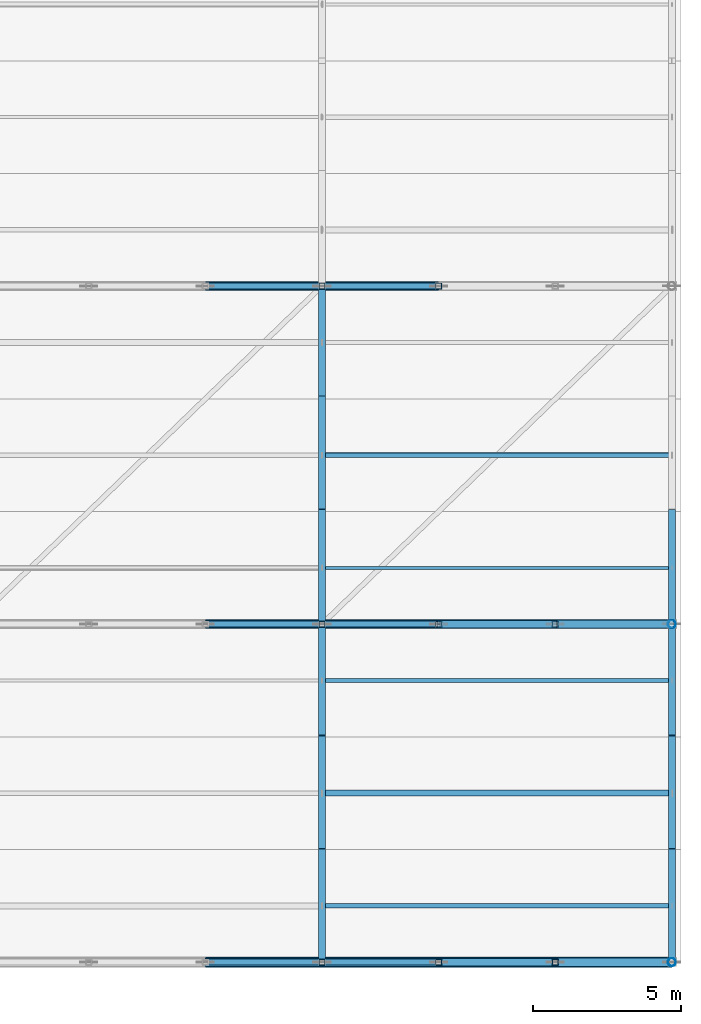
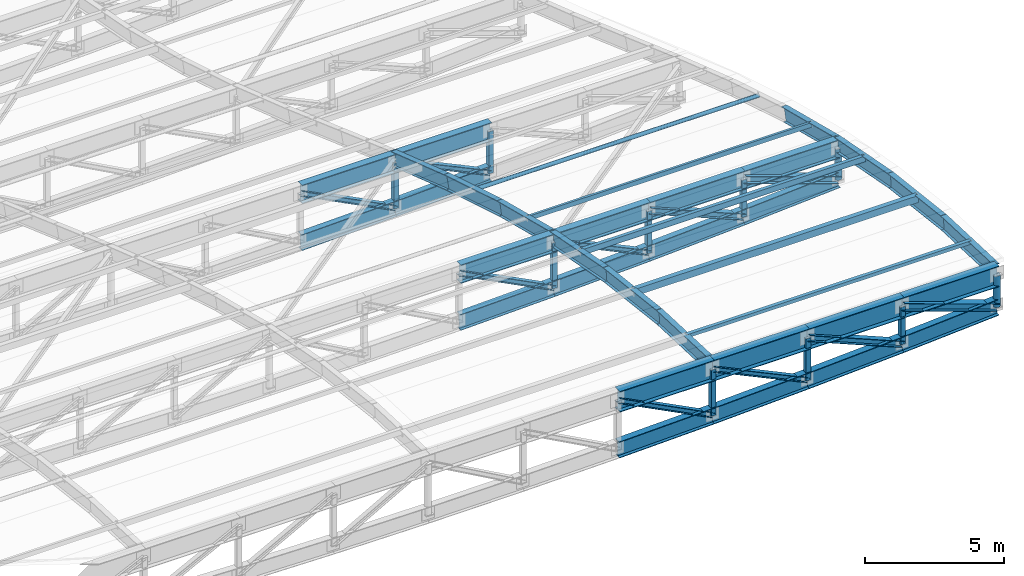
# One storey, part 11 of 65: 35 members, 20 beams.
"""IFC4 building model written with IfcOpenShell, lengths in metres."""

from ifc_helpers import new_model, si_unit, direction, frame, origin, origin_2d, place, context, subcontext, project, spatial, hollow_rectangle, hollow_circle, i_section, extrude, material, material_profile, profile_set, type_object, element, save


model = new_model("IFC4")

# Units and contexts
model_context = context("Model", 3, precision=1e-05, world=origin(), true_north=direction((0.0, 1.0)))
body_context = subcontext(model_context, "Body", "Model", "MODEL_VIEW")
ifc_project = project(units=[si_unit("LENGTHUNIT", "METRE"), si_unit("AREAUNIT", "SQUARE_METRE"), si_unit("VOLUMEUNIT", "CUBIC_METRE"), si_unit("PLANEANGLEUNIT", "RADIAN"), si_unit("MASSUNIT", "GRAM", prefix="KILO"), si_unit("POWERUNIT", "WATT"), si_unit("THERMODYNAMICTEMPERATUREUNIT", "KELVIN")], contexts=[model_context])

# Site, building, storey
site_placement = place(None, origin())
site = spatial("IfcSite", under=ifc_project, at=site_placement, CompositionType="ELEMENT")
building_placement = place(site_placement, origin())
building = spatial("IfcBuilding", under=site, at=building_placement, Name="Kelmbourne Parkland Aquatics Centre", CompositionType="ELEMENT")
storey_placement = place(building_placement, frame((0.0, 0.0, 27.0)))
storey = spatial("IfcBuildingStorey", under=building, at=storey_placement, Name="RF", CompositionType="ELEMENT", Elevation=27.0)

# Members
ifc_material_1 = material(Name="Structural steel AS/NZS 3679.1 Grade 300", Category="steel")
ifc_material_profile_1 = material_profile(ifc_material_1, i_section(OverallWidth=0.306884765625, OverallDepth=0.31494140625, WebThickness=0.011962890625, FlangeThickness=0.018798828125, at=origin_2d()), Name="310UC118")
ifc_profile_set_1 = profile_set([ifc_material_profile_1], Name="Structural steel AS/NZS 3679.1 Grade 300")
member_type_1 = type_object("IfcMemberType", Name="MB-DIAG1", PredefinedType="STRUT", material=ifc_profile_set_1)
for number, where, z_axis, x_axis, name in (
    (1, (171.2666015625, 0.800048828125, -0.820068359375), (0.943617957768, 0.0, -0.331036478015), (0.0, 1.0, 0.0), "Roof truss R00 web diagonal 12"),
    (2, (171.2666015625, 12.199951171875, -2.15087890625), (0.943617957768, 0.0, -0.331036478015), (0.0, 1.0, 0.0), "Roof truss R01 web diagonal 12"),
):
    element("IfcMember", number, at=place(storey_placement, frame(where, z_axis=z_axis, x_axis=x_axis)), inside=storey, type_object=member_type_1, Name=name, PredefinedType="STRUT", context=body_context, shape_type="SweptSolid", body=[
        extrude(i_section(OverallWidth=0.306884765625, OverallDepth=0.31494140625, WebThickness=0.011962890625, FlangeThickness=0.018798828125, at=origin_2d()), origin(), (0.0, 0.0, 1.0), 4.16845703125),
    ])
ifc_material_profile_2 = material_profile(ifc_material_1, i_section(OverallWidth=0.256103515625, OverallDepth=0.260009765625, WebThickness=0.010498046875, FlangeThickness=0.017333984375, at=origin_2d()), Name="250UC89.5")
ifc_profile_set_2 = profile_set([ifc_material_profile_2], Name="Structural steel AS/NZS 3679.1 Grade 300")
member_type_2 = type_object("IfcMemberType", Name="MB-DIAG2", PredefinedType="STRUT", material=ifc_profile_set_2)
for number, where, z_axis, x_axis, name in (
    (3, (167.333251953125, 0.800048828125, -0.820068359375), (0.923014195881, 0.0, -0.384765895322), (0.0, 1.0, 0.0), "Roof truss R00 web diagonal 11"),
    (4, (167.333251953125, 12.199951171875, -2.15087890625), (0.923014195881, 0.0, -0.384765895322), (0.0, 1.0, 0.0), "Roof truss R01 web diagonal 11"),
):
    element("IfcMember", number, at=place(storey_placement, frame(where, z_axis=z_axis, x_axis=x_axis)), inside=storey, type_object=member_type_2, Name=name, PredefinedType="STRUT", context=body_context, shape_type="SweptSolid", body=[
        extrude(i_section(OverallWidth=0.256103515625, OverallDepth=0.260009765625, WebThickness=0.010498046875, FlangeThickness=0.017333984375, at=origin_2d()), origin(), (0.0, 0.0, 1.0), 4.261474609375),
    ])
ifc_material_profile_3 = material_profile(ifc_material_1, i_section(OverallWidth=0.205078125, OverallDepth=0.2099609375, WebThickness=0.00927734375, FlangeThickness=0.01416015625, at=origin_2d()), Name="200UC59.5")
ifc_profile_set_3 = profile_set([ifc_material_profile_3], Name="Structural steel AS/NZS 3679.1 Grade 300")
member_type_3 = type_object("IfcMemberType", Name="MB-DIAG3", PredefinedType="STRUT", material=ifc_profile_set_3)
member_1_placement = place(storey_placement, frame((159.466796875, 0.800048828125, -0.820068359375), z_axis=(0.889784683693, 0.0, -0.456380561226), x_axis=(0.0, 1.0, 0.0)))
element("IfcMember", 5, at=member_1_placement, inside=storey, type_object=member_type_3, Name="Roof truss R00 web diagonal 9", PredefinedType="STRUT", context=body_context, shape_type="SweptSolid", body=[
    extrude(i_section(OverallWidth=0.205078125, OverallDepth=0.2099609375, WebThickness=0.00927734375, FlangeThickness=0.01416015625, at=origin_2d()), origin(), (0.0, 0.0, 1.0), 4.42041015625),
])
member_2_placement = place(storey_placement, frame((163.39990234375, 0.800048828125, -0.820068359375), z_axis=(0.904724503936, 0.0, -0.425997150199), x_axis=(0.0, 1.0, 0.0)))
element("IfcMember", 6, at=member_2_placement, inside=storey, type_object=member_type_3, Name="Roof truss R00 web diagonal 10", PredefinedType="STRUT", context=body_context, shape_type="SweptSolid", body=[
    extrude(i_section(OverallWidth=0.205078125, OverallDepth=0.2099609375, WebThickness=0.00927734375, FlangeThickness=0.01416015625, at=origin_2d()), origin(), (0.0, 0.0, 1.0), 4.34765625),
])
member_3_placement = place(storey_placement, frame((159.466796875, 12.199951171875, -2.15087890625), z_axis=(0.889784683693, 0.0, -0.456380561226), x_axis=(0.0, 1.0, 0.0)))
element("IfcMember", 7, at=member_3_placement, inside=storey, type_object=member_type_3, Name="Roof truss R01 web diagonal 9", PredefinedType="STRUT", context=body_context, shape_type="SweptSolid", body=[
    extrude(i_section(OverallWidth=0.205078125, OverallDepth=0.2099609375, WebThickness=0.00927734375, FlangeThickness=0.01416015625, at=origin_2d()), origin(), (0.0, 0.0, 1.0), 4.42041015625),
])
member_4_placement = place(storey_placement, frame((163.39990234375, 12.199951171875, -2.15087890625), z_axis=(0.904724503936, 0.0, -0.425997150199), x_axis=(0.0, 1.0, 0.0)))
element("IfcMember", 8, at=member_4_placement, inside=storey, type_object=member_type_3, Name="Roof truss R01 web diagonal 10", PredefinedType="STRUT", context=body_context, shape_type="SweptSolid", body=[
    extrude(i_section(OverallWidth=0.205078125, OverallDepth=0.2099609375, WebThickness=0.00927734375, FlangeThickness=0.01416015625, at=origin_2d()), origin(), (0.0, 0.0, 1.0), 4.34765625),
])
member_5_placement = place(storey_placement, frame((159.466796875, 23.60009765625, -5.5625), z_axis=(0.889762254621, 0.0, -0.456424287535), x_axis=(0.0, 1.0, 0.0)))
element("IfcMember", 9, at=member_5_placement, inside=storey, type_object=member_type_3, Name="Roof truss R02 web diagonal 9", PredefinedType="STRUT", context=body_context, shape_type="SweptSolid", body=[
    extrude(i_section(OverallWidth=0.205078125, OverallDepth=0.2099609375, WebThickness=0.00927734375, FlangeThickness=0.01416015625, at=origin_2d()), origin(), (0.0, 0.0, 1.0), 4.42041015625),
])
member_6_placement = place(storey_placement, frame((163.39990234375, 23.60009765625, -5.5625), z_axis=(0.904702860314, 0.0, -0.426043113475), x_axis=(0.0, 1.0, 0.0)))
element("IfcMember", 10, at=member_6_placement, inside=storey, type_object=member_type_3, Name="Roof truss R02 web diagonal 10", PredefinedType="STRUT", context=body_context, shape_type="SweptSolid", body=[
    extrude(i_section(OverallWidth=0.205078125, OverallDepth=0.2099609375, WebThickness=0.00927734375, FlangeThickness=0.01416015625, at=origin_2d()), origin(), (0.0, 0.0, 1.0), 4.34765625),
])
ifc_material_profile_4 = material_profile(ifc_material_1, i_section(OverallWidth=0.22900390625, OverallDepth=0.612060546875, WebThickness=0.011962890625, FlangeThickness=0.01953125, at=origin_2d()), Name="610UB125")
ifc_profile_set_4 = profile_set([ifc_material_profile_4], Name="Structural steel AS/NZS 3679.1 Grade 300")
member_type_4 = type_object("IfcMemberType", Name="MB-LRIB", PredefinedType="STRUT", material=ifc_profile_set_4)
member_7_placement = place(storey_placement, frame((163.39990234375, 0.800048828125, -0.699951171875), z_axis=(0.0, 0.999192218412, -0.040185951091), x_axis=(-1.0, 0.0, 0.0)))
element("IfcMember", 11, at=member_7_placement, inside=storey, type_object=member_type_4, Name="Longitudinal wave rib K9 strip 01", PredefinedType="STRUT", context=body_context, shape_type="SweptSolid", body=[
    extrude(i_section(OverallWidth=0.22900390625, OverallDepth=0.612060546875, WebThickness=0.011962890625, FlangeThickness=0.01953125, at=origin_2d()), origin(), (0.0, 0.0, 1.0), 3.80322265625),
])
member_8_placement = place(storey_placement, frame((163.39990234375, 4.60009765625, -0.852783203125), z_axis=(0.0, 0.993017132062, -0.117970231122), x_axis=(-1.0, 0.0, 0.0)))
element("IfcMember", 12, at=member_8_placement, inside=storey, type_object=member_type_4, Name="Longitudinal wave rib K9 strip 02", PredefinedType="STRUT", context=body_context, shape_type="SweptSolid", body=[
    extrude(i_section(OverallWidth=0.22900390625, OverallDepth=0.612060546875, WebThickness=0.011962890625, FlangeThickness=0.01953125, at=origin_2d()), origin(), (0.0, 0.0, 1.0), 3.826416015625),
])
member_9_placement = place(storey_placement, frame((163.39990234375, 8.39990234375, -1.30419921875), z_axis=(0.0, 0.982207978327, -0.187796398555), x_axis=(-1.0, 0.0, 0.0)))
element("IfcMember", 13, at=member_9_placement, inside=storey, type_object=member_type_4, Name="Longitudinal wave rib K9 strip 03", PredefinedType="STRUT", context=body_context, shape_type="SweptSolid", body=[
    extrude(i_section(OverallWidth=0.22900390625, OverallDepth=0.612060546875, WebThickness=0.011962890625, FlangeThickness=0.01953125, at=origin_2d()), origin(), (0.0, 0.0, 1.0), 3.868896484375),
])
member_10_placement = place(storey_placement, frame((163.39990234375, 12.199951171875, -2.03076171875), z_axis=(0.0, 0.96918642233, -0.246328396193), x_axis=(-1.0, 0.0, 0.0)))
element("IfcMember", 14, at=member_10_placement, inside=storey, type_object=member_type_4, Name="Longitudinal wave rib K9 strip 04", PredefinedType="STRUT", context=body_context, shape_type="SweptSolid", body=[
    extrude(i_section(OverallWidth=0.22900390625, OverallDepth=0.612060546875, WebThickness=0.011962890625, FlangeThickness=0.01953125, at=origin_2d()), origin(), (0.0, 0.0, 1.0), 3.9208984375),
])
member_11_placement = place(storey_placement, frame((163.39990234375, 16.0, -2.99658203125), z_axis=(0.0, 0.956659736605, -0.291208084294), x_axis=(-1.0, 0.0, 0.0)))
element("IfcMember", 15, at=member_11_placement, inside=storey, type_object=member_type_4, Name="Longitudinal wave rib K9 strip 05", PredefinedType="STRUT", context=body_context, shape_type="SweptSolid", body=[
    extrude(i_section(OverallWidth=0.22900390625, OverallDepth=0.612060546875, WebThickness=0.011962890625, FlangeThickness=0.01953125, at=origin_2d()), origin(), (0.0, 0.0, 1.0), 3.97216796875),
])
member_12_placement = place(storey_placement, frame((163.39990234375, 19.800048828125, -4.1533203125), z_axis=(0.0, 0.946978369756, -0.321297319029), x_axis=(-1.0, 0.0, 0.0)))
element("IfcMember", 16, at=member_12_placement, inside=storey, type_object=member_type_4, Name="Longitudinal wave rib K9 strip 06", PredefinedType="STRUT", context=body_context, shape_type="SweptSolid", body=[
    extrude(i_section(OverallWidth=0.22900390625, OverallDepth=0.612060546875, WebThickness=0.011962890625, FlangeThickness=0.01953125, at=origin_2d()), origin(), (0.0, 0.0, 1.0), 4.0126953125),
])
member_13_placement = place(storey_placement, frame((175.199951171875, 0.800048828125, -0.699951171875), z_axis=(0.0, 0.999192218412, -0.040185951091), x_axis=(-1.0, 0.0, 0.0)))
element("IfcMember", 17, at=member_13_placement, inside=storey, type_object=member_type_4, Name="Longitudinal wave rib K12 strip 01", PredefinedType="STRUT", context=body_context, shape_type="SweptSolid", body=[
    extrude(i_section(OverallWidth=0.22900390625, OverallDepth=0.612060546875, WebThickness=0.011962890625, FlangeThickness=0.01953125, at=origin_2d()), origin(), (0.0, 0.0, 1.0), 3.80322265625),
])
member_14_placement = place(storey_placement, frame((175.199951171875, 4.60009765625, -0.852783203125), z_axis=(0.0, 0.993017132062, -0.117970231122), x_axis=(-1.0, 0.0, 0.0)))
element("IfcMember", 18, at=member_14_placement, inside=storey, type_object=member_type_4, Name="Longitudinal wave rib K12 strip 02", PredefinedType="STRUT", context=body_context, shape_type="SweptSolid", body=[
    extrude(i_section(OverallWidth=0.22900390625, OverallDepth=0.612060546875, WebThickness=0.011962890625, FlangeThickness=0.01953125, at=origin_2d()), origin(), (0.0, 0.0, 1.0), 3.826416015625),
])
member_15_placement = place(storey_placement, frame((175.199951171875, 8.39990234375, -1.30419921875), z_axis=(0.0, 0.982207978327, -0.187796398555), x_axis=(-1.0, 0.0, 0.0)))
element("IfcMember", 19, at=member_15_placement, inside=storey, type_object=member_type_4, Name="Longitudinal wave rib K12 strip 03", PredefinedType="STRUT", context=body_context, shape_type="SweptSolid", body=[
    extrude(i_section(OverallWidth=0.22900390625, OverallDepth=0.612060546875, WebThickness=0.011962890625, FlangeThickness=0.01953125, at=origin_2d()), origin(), (0.0, 0.0, 1.0), 3.868896484375),
])
member_16_placement = place(storey_placement, frame((175.199951171875, 12.199951171875, -2.03076171875), z_axis=(0.0, 0.96918642233, -0.246328396193), x_axis=(-1.0, 0.0, 0.0)))
element("IfcMember", 20, at=member_16_placement, inside=storey, type_object=member_type_4, Name="Longitudinal wave rib K12 strip 04", PredefinedType="STRUT", context=body_context, shape_type="SweptSolid", body=[
    extrude(i_section(OverallWidth=0.22900390625, OverallDepth=0.612060546875, WebThickness=0.011962890625, FlangeThickness=0.01953125, at=origin_2d()), origin(), (0.0, 0.0, 1.0), 3.9208984375),
])
ifc_material_2 = material(Name="Cold-formed hollow steel AS/NZS 1163 C350L0", Category="steel")
ifc_material_profile_5 = material_profile(ifc_material_2, hollow_rectangle(XDim=0.199951171875, YDim=0.199951171875, WallThickness=0.010009765625, at=origin_2d()), Name="SHS 200x200x10.0")
ifc_profile_set_5 = profile_set([ifc_material_profile_5], Name="Cold-formed hollow steel AS/NZS 1163 C350L0")
member_type_5 = type_object("IfcMemberType", Name="MB-POST1", PredefinedType="STRUT", material=ifc_profile_set_5)
member_17_placement = place(storey_placement, frame((163.39990234375, 0.800048828125, -2.83740234375), z_axis=(0.0, 0.0, 1.0), x_axis=(1.0, 0.0, 0.0)))
element("IfcMember", 21, at=member_17_placement, inside=storey, type_object=member_type_5, Name="Roof truss R00 vertical post 9", PredefinedType="STRUT", context=body_context, shape_type="SweptSolid", body=[
    extrude(hollow_rectangle(XDim=0.199951171875, YDim=0.199951171875, WallThickness=0.010009765625, at=origin_2d()), origin(), (0.0, 0.0, 1.0), 2.017333984375),
])
member_18_placement = place(storey_placement, frame((167.333251953125, 0.800048828125, -2.672119140625), z_axis=(0.0, 0.0, 1.0), x_axis=(1.0, 0.0, 0.0)))
element("IfcMember", 22, at=member_18_placement, inside=storey, type_object=member_type_5, Name="Roof truss R00 vertical post 10", PredefinedType="STRUT", context=body_context, shape_type="SweptSolid", body=[
    extrude(hollow_rectangle(XDim=0.199951171875, YDim=0.199951171875, WallThickness=0.010009765625, at=origin_2d()), origin(), (0.0, 0.0, 1.0), 1.85205078125),
])
member_19_placement = place(storey_placement, frame((171.2666015625, 0.800048828125, -2.459716796875), z_axis=(0.0, 0.0, 1.0), x_axis=(1.0, 0.0, 0.0)))
element("IfcMember", 23, at=member_19_placement, inside=storey, type_object=member_type_5, Name="Roof truss R00 vertical post 11", PredefinedType="STRUT", context=body_context, shape_type="SweptSolid", body=[
    extrude(hollow_rectangle(XDim=0.199951171875, YDim=0.199951171875, WallThickness=0.010009765625, at=origin_2d()), origin(), (0.0, 0.0, 1.0), 1.6396484375),
])
member_20_placement = place(storey_placement, frame((163.39990234375, 12.199951171875, -4.168212890625), z_axis=(0.0, 0.0, 1.0), x_axis=(1.0, 0.0, 0.0)))
element("IfcMember", 24, at=member_20_placement, inside=storey, type_object=member_type_5, Name="Roof truss R01 vertical post 9", PredefinedType="STRUT", context=body_context, shape_type="SweptSolid", body=[
    extrude(hollow_rectangle(XDim=0.199951171875, YDim=0.199951171875, WallThickness=0.010009765625, at=origin_2d()), origin(), (0.0, 0.0, 1.0), 2.017333984375),
])
member_21_placement = place(storey_placement, frame((167.333251953125, 12.199951171875, -4.0029296875), z_axis=(0.0, 0.0, 1.0), x_axis=(1.0, 0.0, 0.0)))
element("IfcMember", 25, at=member_21_placement, inside=storey, type_object=member_type_5, Name="Roof truss R01 vertical post 10", PredefinedType="STRUT", context=body_context, shape_type="SweptSolid", body=[
    extrude(hollow_rectangle(XDim=0.199951171875, YDim=0.199951171875, WallThickness=0.010009765625, at=origin_2d()), origin(), (0.0, 0.0, 1.0), 1.85205078125),
])
member_22_placement = place(storey_placement, frame((171.2666015625, 12.199951171875, -3.79052734375), z_axis=(0.0, 0.0, 1.0), x_axis=(1.0, 0.0, 0.0)))
element("IfcMember", 26, at=member_22_placement, inside=storey, type_object=member_type_5, Name="Roof truss R01 vertical post 11", PredefinedType="STRUT", context=body_context, shape_type="SweptSolid", body=[
    extrude(hollow_rectangle(XDim=0.199951171875, YDim=0.199951171875, WallThickness=0.010009765625, at=origin_2d()), origin(), (0.0, 0.0, 1.0), 1.6396484375),
])
member_23_placement = place(storey_placement, frame((163.39990234375, 23.60009765625, -7.580078125), z_axis=(0.0, 0.0, 1.0), x_axis=(1.0, 0.0, 0.0)))
element("IfcMember", 27, at=member_23_placement, inside=storey, type_object=member_type_5, Name="Roof truss R02 vertical post 9", PredefinedType="STRUT", context=body_context, shape_type="SweptSolid", body=[
    extrude(hollow_rectangle(XDim=0.199951171875, YDim=0.199951171875, WallThickness=0.010009765625, at=origin_2d()), origin(), (0.0, 0.0, 1.0), 2.017578125),
])
member_24_placement = place(storey_placement, frame((167.333251953125, 23.60009765625, -7.414794921875), z_axis=(0.0, 0.0, 1.0), x_axis=(1.0, 0.0, 0.0)))
element("IfcMember", 28, at=member_24_placement, inside=storey, type_object=member_type_5, Name="Roof truss R02 vertical post 10", PredefinedType="STRUT", context=body_context, shape_type="SweptSolid", body=[
    extrude(hollow_rectangle(XDim=0.199951171875, YDim=0.199951171875, WallThickness=0.010009765625, at=origin_2d()), origin(), (0.0, 0.0, 1.0), 1.852294921875),
])
ifc_material_profile_6 = material_profile(ifc_material_2, hollow_circle(Radius=0.136474609375, WallThickness=0.00927734375, at=origin_2d()), Name="CHS 273.1x9.3")
ifc_profile_set_6 = profile_set([ifc_material_profile_6], Name="Cold-formed hollow steel AS/NZS 1163 C350L0")
member_type_6 = type_object("IfcMemberType", Name="MB-POST2", PredefinedType="STRUT", material=ifc_profile_set_6)
for number, where, z_axis, x_axis, name in (
    (29, (175.199951171875, 0.800048828125, -2.199951171875), (0.0, 0.0, 1.0), (1.0, 0.0, 0.0), "Roof truss R00 vertical post 12"),
    (30, (175.199951171875, 12.199951171875, -3.53076171875), (0.0, 0.0, 1.0), (1.0, 0.0, 0.0), "Roof truss R01 vertical post 12"),
):
    element("IfcMember", number, at=place(storey_placement, frame(where, z_axis=z_axis, x_axis=x_axis)), inside=storey, type_object=member_type_6, Name=name, PredefinedType="STRUT", context=body_context, shape_type="SweptSolid", body=[
        extrude(hollow_circle(Radius=0.136474609375, WallThickness=0.00927734375, at=origin_2d()), origin(), (0.0, 0.0, 1.0), 1.3798828125),
    ])
ifc_material_profile_7 = material_profile(ifc_material_2, hollow_rectangle(XDim=0.10009765625, YDim=0.199951171875, WallThickness=0.006103515625, at=origin_2d()), Name="RHS 200x100x6.0")
ifc_profile_set_7 = profile_set([ifc_material_profile_7], Name="Cold-formed hollow steel AS/NZS 1163 C350L0")
member_type_7 = type_object("IfcMemberType", Name="MB-PUR1", PredefinedType="PURLIN", material=ifc_profile_set_7)
member_25_placement = place(storey_placement, frame((163.39990234375, 14.10009765625, -2.3037109375), z_axis=(1.0, 0.0, 0.0), x_axis=(0.0, 1.0, 0.0)))
element("IfcMember", 31, at=member_25_placement, inside=storey, type_object=member_type_7, Name="Wave roof purlin S04-G4", PredefinedType="PURLIN", context=body_context, shape_type="SweptSolid", body=[
    extrude(hollow_rectangle(XDim=0.10009765625, YDim=0.199951171875, WallThickness=0.006103515625, at=origin_2d()), origin(), (0.0, 0.0, 1.0), 11.800048828125),
])
ifc_material_profile_8 = material_profile(ifc_material_2, hollow_rectangle(XDim=0.14990234375, YDim=0.25, WallThickness=0.009033203125, at=origin_2d()), Name="RHS 250x150x9.0")
ifc_profile_set_8 = profile_set([ifc_material_profile_8], Name="Cold-formed hollow steel AS/NZS 1163 C350L0")
member_type_8 = type_object("IfcMemberType", Name="MB-PUR2", PredefinedType="PURLIN", material=ifc_profile_set_8)
member_26_placement = place(storey_placement, frame((163.39990234375, 10.300048828125, -1.482421875), z_axis=(1.0, 0.0, 0.0), x_axis=(0.0, 1.0, 0.0)))
element("IfcMember", 32, at=member_26_placement, inside=storey, type_object=member_type_8, Name="Wave roof purlin S03-G4", PredefinedType="PURLIN", context=body_context, shape_type="SweptSolid", body=[
    extrude(hollow_rectangle(XDim=0.14990234375, YDim=0.25, WallThickness=0.009033203125, at=origin_2d()), origin(), (0.0, 0.0, 1.0), 11.800048828125),
])
ifc_material_profile_9 = material_profile(ifc_material_2, hollow_rectangle(XDim=0.199951171875, YDim=0.300048828125, WallThickness=0.010009765625, at=origin_2d()), Name="RHS 300x200x10.0")
ifc_profile_set_9 = profile_set([ifc_material_profile_9], Name="Cold-formed hollow steel AS/NZS 1163 C350L0")
member_type_9 = type_object("IfcMemberType", Name="MB-PUR3", PredefinedType="PURLIN", material=ifc_profile_set_9)
member_27_placement = place(storey_placement, frame((163.39990234375, 6.5, -0.91845703125), z_axis=(1.0, 0.0, 0.0), x_axis=(0.0, 1.0, 0.0)))
element("IfcMember", 33, at=member_27_placement, inside=storey, type_object=member_type_9, Name="Wave roof purlin S02-G4", PredefinedType="PURLIN", context=body_context, shape_type="SweptSolid", body=[
    extrude(hollow_rectangle(XDim=0.199951171875, YDim=0.300048828125, WallThickness=0.010009765625, at=origin_2d()), origin(), (0.0, 0.0, 1.0), 11.800048828125),
])
ifc_material_profile_10 = material_profile(ifc_material_2, hollow_rectangle(XDim=0.14990234375, YDim=0.14990234375, WallThickness=0.009033203125, at=origin_2d()), Name="SHS 150x150x9.0")
ifc_profile_set_10 = profile_set([ifc_material_profile_10], Name="Cold-formed hollow steel AS/NZS 1163 C350L0")
member_type_10 = type_object("IfcMemberType", Name="MB-PUR4", PredefinedType="PURLIN", material=ifc_profile_set_10)
member_28_placement = place(storey_placement, frame((163.39990234375, 2.699951171875, -0.54150390625), z_axis=(1.0, 0.0, 0.0), x_axis=(0.0, 1.0, 0.0)))
element("IfcMember", 34, at=member_28_placement, inside=storey, type_object=member_type_10, Name="Wave roof purlin S01-G4", PredefinedType="PURLIN", context=body_context, shape_type="SweptSolid", body=[
    extrude(hollow_rectangle(XDim=0.14990234375, YDim=0.14990234375, WallThickness=0.009033203125, at=origin_2d()), origin(), (0.0, 0.0, 1.0), 11.800048828125),
])
ifc_material_profile_11 = material_profile(ifc_material_2, hollow_circle(Radius=0.084228515625, WallThickness=0.007080078125, at=origin_2d()), Name="CHS 168.3x7.1")
ifc_profile_set_11 = profile_set([ifc_material_profile_11], Name="Cold-formed hollow steel AS/NZS 1163 C350L0")
member_type_11 = type_object("IfcMemberType", Name="MB-PUR5", PredefinedType="PURLIN", material=ifc_profile_set_11)
member_29_placement = place(storey_placement, frame((163.39990234375, 17.89990234375, -3.34912109375), z_axis=(1.0, 0.0, 0.0), x_axis=(0.0, 1.0, 0.0)))
element("IfcMember", 35, at=member_29_placement, inside=storey, type_object=member_type_11, Name="Wave roof purlin S05-G4", PredefinedType="PURLIN", context=body_context, shape_type="SweptSolid", body=[
    extrude(hollow_circle(Radius=0.084228515625, WallThickness=0.007080078125, at=origin_2d()), origin(), (0.0, 0.0, 1.0), 11.800048828125),
])

# Beams
ifc_material_3 = material(Name="Welded plate steel AS/NZS 3678 Grade 350", Category="steel")
ifc_material_profile_12 = material_profile(ifc_material_3, i_section(OverallWidth=0.27490234375, OverallDepth=0.716064453125, WebThickness=0.011962890625, FlangeThickness=0.02490234375, at=origin_2d()), Name="700WB173")
ifc_profile_set_12 = profile_set([ifc_material_profile_12], Name="Welded plate steel AS/NZS 3678 Grade 350")
beam_type_1 = type_object("IfcBeamType", Name="TR-BC1", PredefinedType="BEAM", material=ifc_profile_set_12)
beam_1_placement = place(storey_placement, frame((159.466796875, 0.800048828125, -2.95556640625), z_axis=(0.999549000802, 0.0, 0.0300299017), x_axis=(0.0, 1.0, 0.0)))
element("IfcBeam", 36, at=beam_1_placement, inside=storey, type_object=beam_type_1, Name="Roof truss R00 bottom chord 9", PredefinedType="BEAM", context=body_context, shape_type="SweptSolid", body=[
    extrude(i_section(OverallWidth=0.27490234375, OverallDepth=0.716064453125, WebThickness=0.011962890625, FlangeThickness=0.02490234375, at=origin_2d()), origin(), (0.0, 0.0, 1.0), 3.934814453125),
])
beam_2_placement = place(storey_placement, frame((163.39990234375, 0.800048828125, -2.83740234375), z_axis=(0.999118286144, 0.0, 0.041983928975), x_axis=(0.0, 1.0, 0.0)))
element("IfcBeam", 37, at=beam_2_placement, inside=storey, type_object=beam_type_1, Name="Roof truss R00 bottom chord 10", PredefinedType="BEAM", context=body_context, shape_type="SweptSolid", body=[
    extrude(i_section(OverallWidth=0.27490234375, OverallDepth=0.716064453125, WebThickness=0.011962890625, FlangeThickness=0.02490234375, at=origin_2d()), origin(), (0.0, 0.0, 1.0), 3.936767578125),
])
beam_3_placement = place(storey_placement, frame((167.333251953125, 0.800048828125, -2.672119140625), z_axis=(0.998545160894, 0.0, 0.053921810563), x_axis=(0.0, 1.0, 0.0)))
element("IfcBeam", 38, at=beam_3_placement, inside=storey, type_object=beam_type_1, Name="Roof truss R00 bottom chord 11", PredefinedType="BEAM", context=body_context, shape_type="SweptSolid", body=[
    extrude(i_section(OverallWidth=0.27490234375, OverallDepth=0.716064453125, WebThickness=0.011962890625, FlangeThickness=0.02490234375, at=origin_2d()), origin(), (0.0, 0.0, 1.0), 3.93896484375),
])
beam_4_placement = place(storey_placement, frame((171.2666015625, 0.800048828125, -2.459716796875), z_axis=(0.997826345785, 0.0, 0.065898282659), x_axis=(0.0, 1.0, 0.0)))
element("IfcBeam", 39, at=beam_4_placement, inside=storey, type_object=beam_type_1, Name="Roof truss R00 bottom chord 12", PredefinedType="BEAM", context=body_context, shape_type="SweptSolid", body=[
    extrude(i_section(OverallWidth=0.27490234375, OverallDepth=0.716064453125, WebThickness=0.011962890625, FlangeThickness=0.02490234375, at=origin_2d()), origin(), (0.0, 0.0, 1.0), 3.94189453125),
])
ifc_material_profile_13 = material_profile(ifc_material_3, i_section(OverallWidth=0.25, OverallDepth=0.699951171875, WebThickness=0.010009765625, FlangeThickness=0.02001953125, at=origin_2d()), Name="700WB130")
ifc_profile_set_13 = profile_set([ifc_material_profile_13], Name="Welded plate steel AS/NZS 3678 Grade 350")
beam_type_2 = type_object("IfcBeamType", Name="TR-BC2", PredefinedType="BEAM", material=ifc_profile_set_13)
beam_5_placement = place(storey_placement, frame((159.466796875, 12.199951171875, -4.286376953125), z_axis=(0.999549000802, 0.0, 0.0300299017), x_axis=(0.0, 1.0, 0.0)))
element("IfcBeam", 40, at=beam_5_placement, inside=storey, type_object=beam_type_2, Name="Roof truss R01 bottom chord 9", PredefinedType="BEAM", context=body_context, shape_type="SweptSolid", body=[
    extrude(i_section(OverallWidth=0.25, OverallDepth=0.699951171875, WebThickness=0.010009765625, FlangeThickness=0.02001953125, at=origin_2d()), origin(), (0.0, 0.0, 1.0), 3.934814453125),
])
beam_6_placement = place(storey_placement, frame((163.39990234375, 12.199951171875, -4.168212890625), z_axis=(0.999118286144, 0.0, 0.041983928975), x_axis=(0.0, 1.0, 0.0)))
element("IfcBeam", 41, at=beam_6_placement, inside=storey, type_object=beam_type_2, Name="Roof truss R01 bottom chord 10", PredefinedType="BEAM", context=body_context, shape_type="SweptSolid", body=[
    extrude(i_section(OverallWidth=0.25, OverallDepth=0.699951171875, WebThickness=0.010009765625, FlangeThickness=0.02001953125, at=origin_2d()), origin(), (0.0, 0.0, 1.0), 3.936767578125),
])
beam_7_placement = place(storey_placement, frame((167.333251953125, 12.199951171875, -4.0029296875), z_axis=(0.998545160894, 0.0, 0.053921810563), x_axis=(0.0, 1.0, 0.0)))
element("IfcBeam", 42, at=beam_7_placement, inside=storey, type_object=beam_type_2, Name="Roof truss R01 bottom chord 11", PredefinedType="BEAM", context=body_context, shape_type="SweptSolid", body=[
    extrude(i_section(OverallWidth=0.25, OverallDepth=0.699951171875, WebThickness=0.010009765625, FlangeThickness=0.02001953125, at=origin_2d()), origin(), (0.0, 0.0, 1.0), 3.93896484375),
])
beam_8_placement = place(storey_placement, frame((171.2666015625, 12.199951171875, -3.79052734375), z_axis=(0.997826345785, 0.0, 0.065898282659), x_axis=(0.0, 1.0, 0.0)))
element("IfcBeam", 43, at=beam_8_placement, inside=storey, type_object=beam_type_2, Name="Roof truss R01 bottom chord 12", PredefinedType="BEAM", context=body_context, shape_type="SweptSolid", body=[
    extrude(i_section(OverallWidth=0.25, OverallDepth=0.699951171875, WebThickness=0.010009765625, FlangeThickness=0.02001953125, at=origin_2d()), origin(), (0.0, 0.0, 1.0), 3.94189453125),
])
beam_9_placement = place(storey_placement, frame((159.466796875, 23.60009765625, -7.6982421875), z_axis=(0.999549000802, 0.0, 0.0300299017), x_axis=(0.0, 1.0, 0.0)))
element("IfcBeam", 44, at=beam_9_placement, inside=storey, type_object=beam_type_2, Name="Roof truss R02 bottom chord 9", PredefinedType="BEAM", context=body_context, shape_type="SweptSolid", body=[
    extrude(i_section(OverallWidth=0.25, OverallDepth=0.699951171875, WebThickness=0.010009765625, FlangeThickness=0.02001953125, at=origin_2d()), origin(), (0.0, 0.0, 1.0), 3.934814453125),
])
beam_10_placement = place(storey_placement, frame((163.39990234375, 23.60009765625, -7.580078125), z_axis=(0.999118286144, 0.0, 0.041983928975), x_axis=(0.0, 1.0, 0.0)))
element("IfcBeam", 45, at=beam_10_placement, inside=storey, type_object=beam_type_2, Name="Roof truss R02 bottom chord 10", PredefinedType="BEAM", context=body_context, shape_type="SweptSolid", body=[
    extrude(i_section(OverallWidth=0.25, OverallDepth=0.699951171875, WebThickness=0.010009765625, FlangeThickness=0.02001953125, at=origin_2d()), origin(), (0.0, 0.0, 1.0), 3.936767578125),
])
ifc_material_profile_14 = material_profile(ifc_material_3, i_section(OverallWidth=0.35009765625, OverallDepth=0.909912109375, WebThickness=0.011962890625, FlangeThickness=0.02490234375, at=origin_2d()), Name="900WB218")
ifc_profile_set_14 = profile_set([ifc_material_profile_14], Name="Welded plate steel AS/NZS 3678 Grade 350")
beam_type_3 = type_object("IfcBeamType", Name="TR-TC1", PredefinedType="BEAM", material=ifc_profile_set_14)
beam_11_placement = place(storey_placement, frame((159.466796875, 0.800048828125, -0.820068359375), z_axis=(1.0, 0.0, 0.0), x_axis=(0.0, 1.0, 0.0)))
element("IfcBeam", 46, at=beam_11_placement, inside=storey, type_object=beam_type_3, Name="Roof truss R00 top chord 9", PredefinedType="BEAM", context=body_context, shape_type="SweptSolid", body=[
    extrude(i_section(OverallWidth=0.35009765625, OverallDepth=0.909912109375, WebThickness=0.011962890625, FlangeThickness=0.02490234375, at=origin_2d()), origin(), (0.0, 0.0, 1.0), 3.93310546875),
])
for number, where, z_axis, x_axis, name in (
    (47, (163.39990234375, 0.800048828125, -0.820068359375), (1.0, 0.0, 0.0), (0.0, 1.0, 0.0), "Roof truss R00 top chord 10"),
    (48, (167.333251953125, 0.800048828125, -0.820068359375), (1.0, 0.0, 0.0), (0.0, 1.0, 0.0), "Roof truss R00 top chord 11"),
    (49, (171.2666015625, 0.800048828125, -0.820068359375), (1.0, 0.0, 0.0), (0.0, 1.0, 0.0), "Roof truss R00 top chord 12"),
):
    element("IfcBeam", number, at=place(storey_placement, frame(where, z_axis=z_axis, x_axis=x_axis)), inside=storey, type_object=beam_type_3, Name=name, PredefinedType="BEAM", context=body_context, shape_type="SweptSolid", body=[
        extrude(i_section(OverallWidth=0.35009765625, OverallDepth=0.909912109375, WebThickness=0.011962890625, FlangeThickness=0.02490234375, at=origin_2d()), origin(), (0.0, 0.0, 1.0), 3.933349609375),
    ])
ifc_material_profile_15 = material_profile(ifc_material_3, i_section(OverallWidth=0.300048828125, OverallDepth=0.81591796875, WebThickness=0.011962890625, FlangeThickness=0.028076171875, at=origin_2d()), Name="800WB192")
ifc_profile_set_15 = profile_set([ifc_material_profile_15], Name="Welded plate steel AS/NZS 3678 Grade 350")
beam_type_4 = type_object("IfcBeamType", Name="TR-TC2", PredefinedType="BEAM", material=ifc_profile_set_15)
beam_12_placement = place(storey_placement, frame((159.466796875, 12.199951171875, -2.15087890625), z_axis=(1.0, 0.0, 0.0), x_axis=(0.0, 1.0, 0.0)))
element("IfcBeam", 50, at=beam_12_placement, inside=storey, type_object=beam_type_4, Name="Roof truss R01 top chord 9", PredefinedType="BEAM", context=body_context, shape_type="SweptSolid", body=[
    extrude(i_section(OverallWidth=0.300048828125, OverallDepth=0.81591796875, WebThickness=0.011962890625, FlangeThickness=0.028076171875, at=origin_2d()), origin(), (0.0, 0.0, 1.0), 3.93310546875),
])
for number, where, z_axis, x_axis, name in (
    (51, (163.39990234375, 12.199951171875, -2.15087890625), (1.0, 0.0, 0.0), (0.0, 1.0, 0.0), "Roof truss R01 top chord 10"),
    (52, (167.333251953125, 12.199951171875, -2.15087890625), (1.0, 0.0, 0.0), (0.0, 1.0, 0.0), "Roof truss R01 top chord 11"),
    (53, (171.2666015625, 12.199951171875, -2.15087890625), (1.0, 0.0, 0.0), (0.0, 1.0, 0.0), "Roof truss R01 top chord 12"),
):
    element("IfcBeam", number, at=place(storey_placement, frame(where, z_axis=z_axis, x_axis=x_axis)), inside=storey, type_object=beam_type_4, Name=name, PredefinedType="BEAM", context=body_context, shape_type="SweptSolid", body=[
        extrude(i_section(OverallWidth=0.300048828125, OverallDepth=0.81591796875, WebThickness=0.011962890625, FlangeThickness=0.028076171875, at=origin_2d()), origin(), (0.0, 0.0, 1.0), 3.933349609375),
    ])
beam_13_placement = place(storey_placement, frame((159.466796875, 23.60009765625, -5.5625), z_axis=(1.0, 0.0, 0.0), x_axis=(0.0, 1.0, 0.0)))
element("IfcBeam", 54, at=beam_13_placement, inside=storey, type_object=beam_type_4, Name="Roof truss R02 top chord 9", PredefinedType="BEAM", context=body_context, shape_type="SweptSolid", body=[
    extrude(i_section(OverallWidth=0.300048828125, OverallDepth=0.81591796875, WebThickness=0.011962890625, FlangeThickness=0.028076171875, at=origin_2d()), origin(), (0.0, 0.0, 1.0), 3.93310546875),
])
beam_14_placement = place(storey_placement, frame((163.39990234375, 23.60009765625, -5.5625), z_axis=(1.0, 0.0, 0.0), x_axis=(0.0, 1.0, 0.0)))
element("IfcBeam", 55, at=beam_14_placement, inside=storey, type_object=beam_type_4, Name="Roof truss R02 top chord 10", PredefinedType="BEAM", context=body_context, shape_type="SweptSolid", body=[
    extrude(i_section(OverallWidth=0.300048828125, OverallDepth=0.81591796875, WebThickness=0.011962890625, FlangeThickness=0.028076171875, at=origin_2d()), origin(), (0.0, 0.0, 1.0), 3.933349609375),
])

save(model, "model.ifc")
